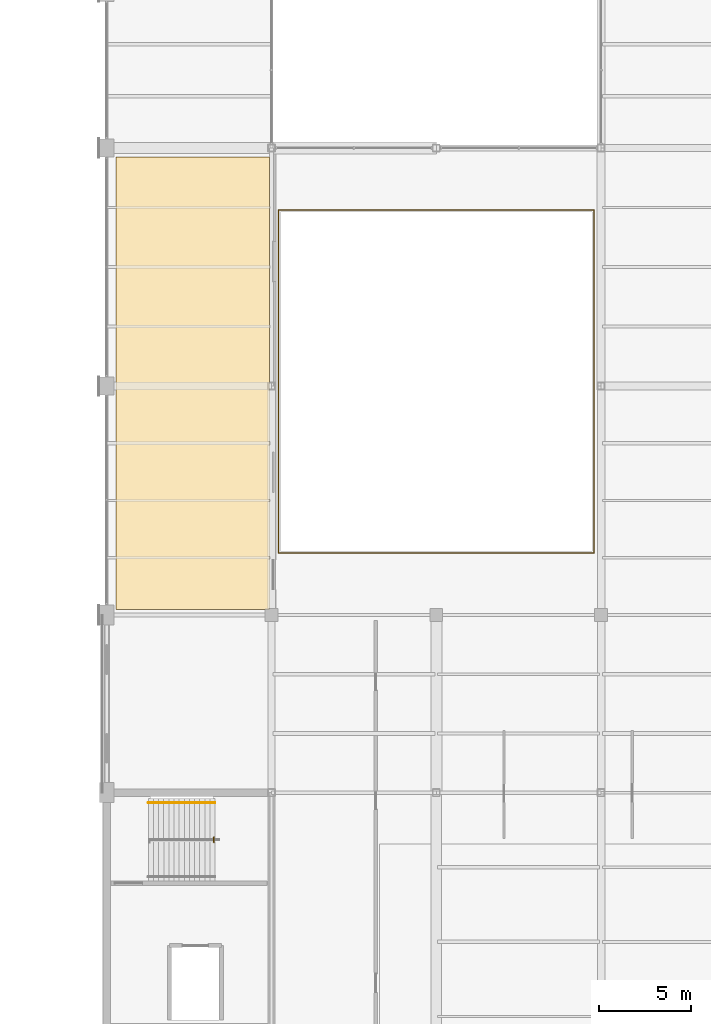
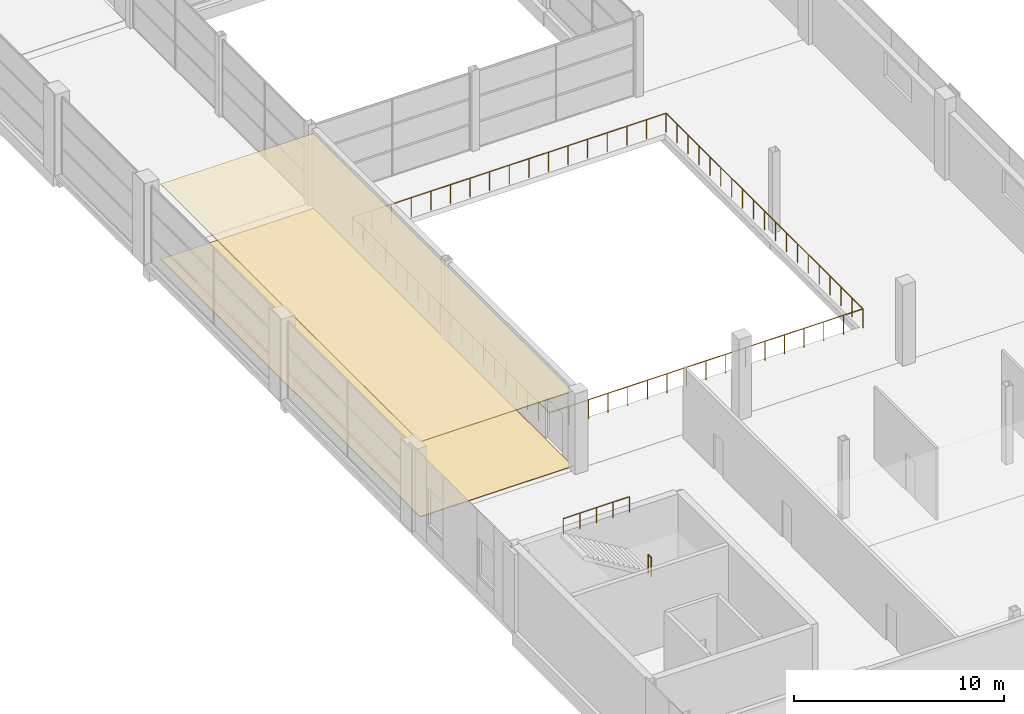
# One storey, part 110 of 112: 3 railings, 2 coverings.
"""IFC4 building model written with IfcOpenShell, lengths in metres."""

from ifc_helpers import new_model, si_unit, direction, frame, origin, origin_2d, place, context, subcontext, project, spatial, polyline, circle, outline, extrude, material, layer, layer_set, type_object, element, save


model = new_model("IFC4")

# Units and contexts
model_context = context("Model", 3, precision=1e-05, world=origin(), true_north=direction((0.0, 1.0)))
body_context = subcontext(model_context, "Body", "Model", "MODEL_VIEW")
ifc_project = project(units=[si_unit("LENGTHUNIT", "METRE"), si_unit("AREAUNIT", "SQUARE_METRE"), si_unit("VOLUMEUNIT", "CUBIC_METRE"), si_unit("PLANEANGLEUNIT", "RADIAN"), si_unit("MASSUNIT", "GRAM", prefix="KILO")], contexts=[model_context])

# Site, building, storey
site_placement = place(None, origin())
site = spatial("IfcSite", under=ifc_project, at=site_placement, CompositionType="ELEMENT")
building_placement = place(site_placement, origin())
building = spatial("IfcBuilding", under=site, at=building_placement, Name="Solvikara Media Centre", CompositionType="ELEMENT")
storey_placement = place(building_placement, frame((0.0, 0.0, 5.39990234375)))
storey = spatial("IfcBuildingStorey", under=building, at=storey_placement, Name="L01", CompositionType="ELEMENT", Elevation=5.39990234375)

# Coverings
ifc_material_1 = material(Name="Perforated acoustic gypsum ceiling board")
ifc_layer_1 = layer(ifc_material_1, 0.0400390625)
ifc_layer_set_1 = layer_set([ifc_layer_1], Name="Perforated acoustic gypsum ceiling board")
covering_type_1 = type_object("IfcCoveringType", Name="CV-01", PredefinedType="CEILING", material=ifc_layer_set_1)
covering_1_placement = place(storey_placement, frame((0.0, 0.0, 4.35009765625)))
element("IfcCovering", 1, at=covering_1_placement, inside=storey, type_object=covering_type_1, Name="CLG-028", PredefinedType="CEILING", context=body_context, shape_type="SweptSolid", body=[
    extrude(outline(polyline([(128.0, 46.800048828125), (136.39990234375, 46.800048828125), (136.39990234375, 71.5), (128.0, 71.5), (128.0, 46.800048828125)])), origin(), (0.0, 0.0, 1.0), 0.0400390625),
])
ifc_material_2 = material(Name="Polished terrazzo floor finish")
ifc_layer_2 = layer(ifc_material_2, 0.030029296875)
ifc_layer_set_2 = layer_set([ifc_layer_2], Name="Polished terrazzo floor finish")
covering_type_2 = type_object("IfcCoveringType", Name="CV-02", PredefinedType="FLOORING", material=ifc_layer_set_2)
covering_2_placement = place(storey_placement, origin())
element("IfcCovering", 2, at=covering_2_placement, inside=storey, type_object=covering_type_2, Name="FLR-028", PredefinedType="FLOORING", context=body_context, shape_type="SweptSolid", body=[
    extrude(outline(polyline([(128.0, 46.800048828125), (136.39990234375, 46.800048828125), (136.39990234375, 71.5), (128.0, 71.5), (128.0, 46.800048828125)])), origin(), (0.0, 0.0, 1.0), 0.030029296875),
])

# Railings
ifc_material_3 = material(Name="Steel S355JR", Category="steel")
railing_type_1 = type_object("IfcRailingType", Name="GR-02", PredefinedType="BALUSTRADE", material=ifc_material_3)
railing_1_placement = place(storey_placement, frame((133.360107421875, 34.080078125, 2.400146484375)))
element("IfcRailing", 3, at=railing_1_placement, inside=storey, type_object=railing_type_1, Name="GR-C4-L01-M", PredefinedType="BALUSTRADE", context=body_context, shape_type="SweptSolid", body=[
    extrude(circle(Radius=0.02392578125, at=origin_2d()), frame((0.0, 0.0, 1.09619140625), z_axis=(0.0, 1.0, 0.0), x_axis=(-1.0, 0.0, 0.0)), (0.0, 0.0, 1.0), 0.2900390625),
    extrude(circle(Radius=0.02099609375, at=origin_2d()), origin(), (0.0, 0.0, 1.0), 1.072021484375),
    extrude(circle(Radius=0.02099609375, at=origin_2d()), frame((0.0, 0.2900390625, 0.0)), (0.0, 0.0, 1.0), 1.072021484375),
])
railing_2_placement = place(storey_placement, frame((136.8798828125, 49.8798828125, 0.0)))
element("IfcRailing", 4, at=railing_2_placement, inside=storey, type_object=railing_type_1, Name="GR-BSA-L01", PredefinedType="BALUSTRADE", context=body_context, shape_type="SweptSolid", body=[
    extrude(circle(Radius=0.02392578125, at=origin_2d()), frame((0.0, 0.0, 1.09619140625), z_axis=(1.0, 0.0, 0.0), x_axis=(0.0, 1.0, 0.0)), (0.0, 0.0, 1.0), 17.240234375),
    extrude(circle(Radius=0.02392578125, at=origin_2d()), frame((17.240234375, 0.0, 1.09619140625), z_axis=(0.0, 1.0, 0.0), x_axis=(-1.0, 0.0, 0.0)), (0.0, 0.0, 1.0), 18.740234375),
    extrude(circle(Radius=0.02392578125, at=origin_2d()), frame((17.240234375, 18.740234375, 1.09619140625), z_axis=(-1.0, 0.0, 0.0), x_axis=(0.0, -1.0, 0.0)), (0.0, 0.0, 1.0), 17.240234375),
    extrude(circle(Radius=0.02392578125, at=origin_2d()), frame((0.0, 18.740234375, 1.09619140625), z_axis=(0.0, -1.0, 0.0), x_axis=(1.0, 0.0, 0.0)), (0.0, 0.0, 1.0), 18.740234375),
    extrude(circle(Radius=0.02099609375, at=origin_2d()), origin(), (0.0, 0.0, 1.0), 1.072021484375),
    extrude(circle(Radius=0.02099609375, at=origin_2d()), frame((1.07763671875, 0.0, 0.0)), (0.0, 0.0, 1.0), 1.072021484375),
    extrude(circle(Radius=0.02099609375, at=origin_2d()), frame((2.155029296875, 0.0, 0.0)), (0.0, 0.0, 1.0), 1.072021484375),
    extrude(circle(Radius=0.02099609375, at=origin_2d()), frame((3.232421875, 0.0, 0.0)), (0.0, 0.0, 1.0), 1.072021484375),
    extrude(circle(Radius=0.02099609375, at=origin_2d()), frame((4.31005859375, 0.0, 0.0)), (0.0, 0.0, 1.0), 1.072021484375),
    extrude(circle(Radius=0.02099609375, at=origin_2d()), frame((5.3876953125, 0.0, 0.0)), (0.0, 0.0, 1.0), 1.072021484375),
    extrude(circle(Radius=0.02099609375, at=origin_2d()), frame((6.465087890625, 0.0, 0.0)), (0.0, 0.0, 1.0), 1.072021484375),
    extrude(circle(Radius=0.02099609375, at=origin_2d()), frame((7.54248046875, 0.0, 0.0)), (0.0, 0.0, 1.0), 1.072021484375),
    extrude(circle(Radius=0.02099609375, at=origin_2d()), frame((8.6201171875, 0.0, 0.0)), (0.0, 0.0, 1.0), 1.072021484375),
    extrude(circle(Radius=0.02099609375, at=origin_2d()), frame((9.69775390625, 0.0, 0.0)), (0.0, 0.0, 1.0), 1.072021484375),
    extrude(circle(Radius=0.02099609375, at=origin_2d()), frame((10.775146484375, 0.0, 0.0)), (0.0, 0.0, 1.0), 1.072021484375),
    extrude(circle(Radius=0.02099609375, at=origin_2d()), frame((11.8525390625, 0.0, 0.0)), (0.0, 0.0, 1.0), 1.072021484375),
    extrude(circle(Radius=0.02099609375, at=origin_2d()), frame((12.93017578125, 0.0, 0.0)), (0.0, 0.0, 1.0), 1.072021484375),
    extrude(circle(Radius=0.02099609375, at=origin_2d()), frame((14.0078125, 0.0, 0.0)), (0.0, 0.0, 1.0), 1.072021484375),
    extrude(circle(Radius=0.02099609375, at=origin_2d()), frame((15.085205078125, 0.0, 0.0)), (0.0, 0.0, 1.0), 1.072021484375),
    extrude(circle(Radius=0.02099609375, at=origin_2d()), frame((16.16259765625, 0.0, 0.0)), (0.0, 0.0, 1.0), 1.072021484375),
    extrude(circle(Radius=0.02099609375, at=origin_2d()), frame((17.240234375, 0.0, 0.0)), (0.0, 0.0, 1.0), 1.072021484375),
    extrude(circle(Radius=0.02099609375, at=origin_2d()), frame((17.240234375, 1.041015625, 0.0)), (0.0, 0.0, 1.0), 1.072021484375),
    extrude(circle(Radius=0.02099609375, at=origin_2d()), frame((17.240234375, 2.082275390625, 0.0)), (0.0, 0.0, 1.0), 1.072021484375),
    extrude(circle(Radius=0.02099609375, at=origin_2d()), frame((17.240234375, 3.123291015625, 0.0)), (0.0, 0.0, 1.0), 1.072021484375),
    extrude(circle(Radius=0.02099609375, at=origin_2d()), frame((17.240234375, 4.16455078125, 0.0)), (0.0, 0.0, 1.0), 1.072021484375),
    extrude(circle(Radius=0.02099609375, at=origin_2d()), frame((17.240234375, 5.20556640625, 0.0)), (0.0, 0.0, 1.0), 1.072021484375),
    extrude(circle(Radius=0.02099609375, at=origin_2d()), frame((17.240234375, 6.246826171875, 0.0)), (0.0, 0.0, 1.0), 1.072021484375),
    extrude(circle(Radius=0.02099609375, at=origin_2d()), frame((17.240234375, 7.287841796875, 0.0)), (0.0, 0.0, 1.0), 1.072021484375),
    extrude(circle(Radius=0.02099609375, at=origin_2d()), frame((17.240234375, 8.3291015625, 0.0)), (0.0, 0.0, 1.0), 1.072021484375),
    extrude(circle(Radius=0.02099609375, at=origin_2d()), frame((17.240234375, 9.3701171875, 0.0)), (0.0, 0.0, 1.0), 1.072021484375),
    extrude(circle(Radius=0.02099609375, at=origin_2d()), frame((17.240234375, 10.4111328125, 0.0)), (0.0, 0.0, 1.0), 1.072021484375),
    extrude(circle(Radius=0.02099609375, at=origin_2d()), frame((17.240234375, 11.452392578125, 0.0)), (0.0, 0.0, 1.0), 1.072021484375),
    extrude(circle(Radius=0.02099609375, at=origin_2d()), frame((17.240234375, 12.493408203125, 0.0)), (0.0, 0.0, 1.0), 1.072021484375),
    extrude(circle(Radius=0.02099609375, at=origin_2d()), frame((17.240234375, 13.53466796875, 0.0)), (0.0, 0.0, 1.0), 1.072021484375),
    extrude(circle(Radius=0.02099609375, at=origin_2d()), frame((17.240234375, 14.57568359375, 0.0)), (0.0, 0.0, 1.0), 1.072021484375),
    extrude(circle(Radius=0.02099609375, at=origin_2d()), frame((17.240234375, 15.616943359375, 0.0)), (0.0, 0.0, 1.0), 1.072021484375),
    extrude(circle(Radius=0.02099609375, at=origin_2d()), frame((17.240234375, 16.657958984375, 0.0)), (0.0, 0.0, 1.0), 1.072021484375),
    extrude(circle(Radius=0.02099609375, at=origin_2d()), frame((17.240234375, 17.69921875, 0.0)), (0.0, 0.0, 1.0), 1.072021484375),
    extrude(circle(Radius=0.02099609375, at=origin_2d()), frame((17.240234375, 18.740234375, 0.0)), (0.0, 0.0, 1.0), 1.072021484375),
    extrude(circle(Radius=0.02099609375, at=origin_2d()), frame((16.16259765625, 18.740234375, 0.0)), (0.0, 0.0, 1.0), 1.072021484375),
    extrude(circle(Radius=0.02099609375, at=origin_2d()), frame((15.085205078125, 18.740234375, 0.0)), (0.0, 0.0, 1.0), 1.072021484375),
    extrude(circle(Radius=0.02099609375, at=origin_2d()), frame((14.0078125, 18.740234375, 0.0)), (0.0, 0.0, 1.0), 1.072021484375),
    extrude(circle(Radius=0.02099609375, at=origin_2d()), frame((12.93017578125, 18.740234375, 0.0)), (0.0, 0.0, 1.0), 1.072021484375),
    extrude(circle(Radius=0.02099609375, at=origin_2d()), frame((11.8525390625, 18.740234375, 0.0)), (0.0, 0.0, 1.0), 1.072021484375),
    extrude(circle(Radius=0.02099609375, at=origin_2d()), frame((10.775146484375, 18.740234375, 0.0)), (0.0, 0.0, 1.0), 1.072021484375),
    extrude(circle(Radius=0.02099609375, at=origin_2d()), frame((9.69775390625, 18.740234375, 0.0)), (0.0, 0.0, 1.0), 1.072021484375),
    extrude(circle(Radius=0.02099609375, at=origin_2d()), frame((8.6201171875, 18.740234375, 0.0)), (0.0, 0.0, 1.0), 1.072021484375),
    extrude(circle(Radius=0.02099609375, at=origin_2d()), frame((7.54248046875, 18.740234375, 0.0)), (0.0, 0.0, 1.0), 1.072021484375),
    extrude(circle(Radius=0.02099609375, at=origin_2d()), frame((6.465087890625, 18.740234375, 0.0)), (0.0, 0.0, 1.0), 1.072021484375),
    extrude(circle(Radius=0.02099609375, at=origin_2d()), frame((5.3876953125, 18.740234375, 0.0)), (0.0, 0.0, 1.0), 1.072021484375),
    extrude(circle(Radius=0.02099609375, at=origin_2d()), frame((4.31005859375, 18.740234375, 0.0)), (0.0, 0.0, 1.0), 1.072021484375),
    extrude(circle(Radius=0.02099609375, at=origin_2d()), frame((3.232421875, 18.740234375, 0.0)), (0.0, 0.0, 1.0), 1.072021484375),
    extrude(circle(Radius=0.02099609375, at=origin_2d()), frame((2.155029296875, 18.740234375, 0.0)), (0.0, 0.0, 1.0), 1.072021484375),
    extrude(circle(Radius=0.02099609375, at=origin_2d()), frame((1.07763671875, 18.740234375, 0.0)), (0.0, 0.0, 1.0), 1.072021484375),
    extrude(circle(Radius=0.02099609375, at=origin_2d()), frame((0.0, 18.740234375, 0.0)), (0.0, 0.0, 1.0), 1.072021484375),
    extrude(circle(Radius=0.02099609375, at=origin_2d()), frame((0.0, 17.69921875, 0.0)), (0.0, 0.0, 1.0), 1.072021484375),
    extrude(circle(Radius=0.02099609375, at=origin_2d()), frame((0.0, 16.657958984375, 0.0)), (0.0, 0.0, 1.0), 1.072021484375),
    extrude(circle(Radius=0.02099609375, at=origin_2d()), frame((0.0, 15.616943359375, 0.0)), (0.0, 0.0, 1.0), 1.072021484375),
    extrude(circle(Radius=0.02099609375, at=origin_2d()), frame((0.0, 14.57568359375, 0.0)), (0.0, 0.0, 1.0), 1.072021484375),
    extrude(circle(Radius=0.02099609375, at=origin_2d()), frame((0.0, 13.53466796875, 0.0)), (0.0, 0.0, 1.0), 1.072021484375),
    extrude(circle(Radius=0.02099609375, at=origin_2d()), frame((0.0, 12.493408203125, 0.0)), (0.0, 0.0, 1.0), 1.072021484375),
    extrude(circle(Radius=0.02099609375, at=origin_2d()), frame((0.0, 11.452392578125, 0.0)), (0.0, 0.0, 1.0), 1.072021484375),
    extrude(circle(Radius=0.02099609375, at=origin_2d()), frame((0.0, 10.4111328125, 0.0)), (0.0, 0.0, 1.0), 1.072021484375),
    extrude(circle(Radius=0.02099609375, at=origin_2d()), frame((0.0, 9.3701171875, 0.0)), (0.0, 0.0, 1.0), 1.072021484375),
    extrude(circle(Radius=0.02099609375, at=origin_2d()), frame((0.0, 8.3291015625, 0.0)), (0.0, 0.0, 1.0), 1.072021484375),
    extrude(circle(Radius=0.02099609375, at=origin_2d()), frame((0.0, 7.287841796875, 0.0)), (0.0, 0.0, 1.0), 1.072021484375),
    extrude(circle(Radius=0.02099609375, at=origin_2d()), frame((0.0, 6.246826171875, 0.0)), (0.0, 0.0, 1.0), 1.072021484375),
    extrude(circle(Radius=0.02099609375, at=origin_2d()), frame((0.0, 5.20556640625, 0.0)), (0.0, 0.0, 1.0), 1.072021484375),
    extrude(circle(Radius=0.02099609375, at=origin_2d()), frame((0.0, 4.16455078125, 0.0)), (0.0, 0.0, 1.0), 1.072021484375),
    extrude(circle(Radius=0.02099609375, at=origin_2d()), frame((0.0, 3.123291015625, 0.0)), (0.0, 0.0, 1.0), 1.072021484375),
    extrude(circle(Radius=0.02099609375, at=origin_2d()), frame((0.0, 2.082275390625, 0.0)), (0.0, 0.0, 1.0), 1.072021484375),
    extrude(circle(Radius=0.02099609375, at=origin_2d()), frame((0.0, 1.041015625, 0.0)), (0.0, 0.0, 1.0), 1.072021484375),
])
railing_type_2 = type_object("IfcRailingType", Name="HR-01", PredefinedType="HANDRAIL", material=ifc_material_3)
railing_3_placement = place(storey_placement, frame((133.419921875, 36.25, 4.800048828125)))
element("IfcRailing", 5, at=railing_3_placement, inside=storey, type_object=railing_type_2, Name="HR-C4-L01-2", PredefinedType="HANDRAIL", context=body_context, shape_type="SweptSolid", body=[
    extrude(circle(Radius=0.02392578125, at=origin_2d()), frame((0.0, 0.0, 0.89599609375), z_axis=(-1.0, 0.0, 0.0), x_axis=(0.0, -1.0, 0.0)), (0.0, 0.0, 1.0), 3.639892578125),
    extrude(circle(Radius=0.02099609375, at=origin_2d()), origin(), (0.0, 0.0, 1.0), 0.871826171875),
    extrude(circle(Radius=0.02099609375, at=origin_2d()), frame((-0.909912109375, 0.0, 0.0)), (0.0, 0.0, 1.0), 0.871826171875),
    extrude(circle(Radius=0.02099609375, at=origin_2d()), frame((-1.81982421875, 0.0, 0.0)), (0.0, 0.0, 1.0), 0.871826171875),
    extrude(circle(Radius=0.02099609375, at=origin_2d()), frame((-2.72998046875, 0.0, 0.0)), (0.0, 0.0, 1.0), 0.871826171875),
    extrude(circle(Radius=0.02099609375, at=origin_2d()), frame((-3.639892578125, 0.0, 0.0)), (0.0, 0.0, 1.0), 0.871826171875),
])

save(model, "model.ifc")
